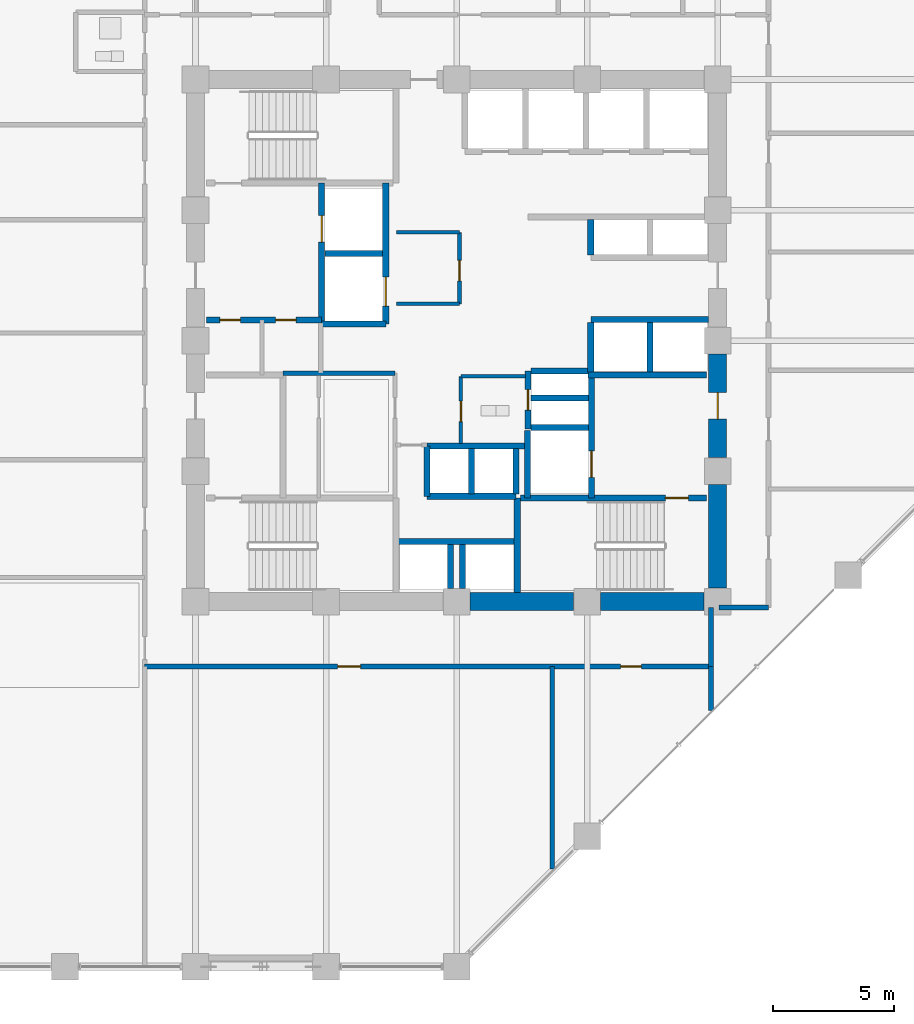
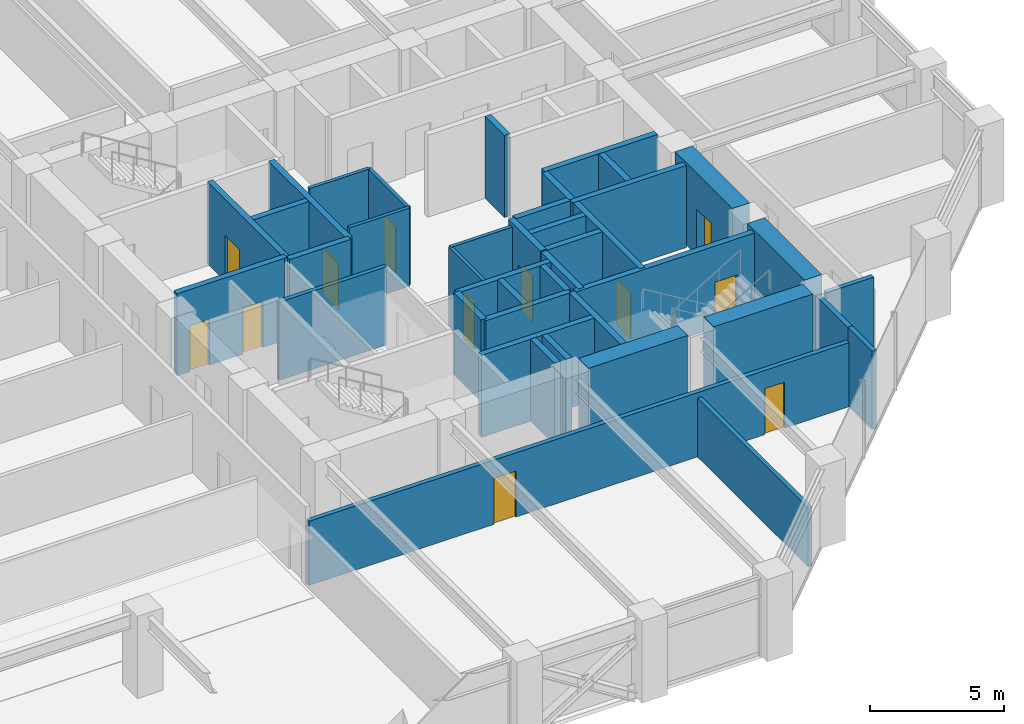
# One storey, part 19 of 24: 41 walls, 12 doors, 12 openings.
"""IFC4 building model written with IfcOpenShell, lengths in metres."""

from ifc_helpers import new_model, si_unit, direction, frame, frame_2d, origin, place, context, subcontext, project, spatial, rectangle, extrude, material, layer, layer_set, type_object, element, fill, save


model = new_model("IFC4")

# Units and contexts
model_context = context("Model", 3, precision=1e-05, world=origin(), true_north=direction((0.0, 1.0)))
body_context = subcontext(model_context, "Body", "Model", "MODEL_VIEW")
ifc_project = project(units=[si_unit("LENGTHUNIT", "METRE"), si_unit("AREAUNIT", "SQUARE_METRE"), si_unit("VOLUMEUNIT", "CUBIC_METRE"), si_unit("PLANEANGLEUNIT", "RADIAN"), si_unit("MASSUNIT", "GRAM", prefix="KILO")], contexts=[model_context])

# Site, building, storey
site_placement = place(None, origin())
site = spatial("IfcSite", under=ifc_project, at=site_placement, CompositionType="ELEMENT")
building_placement = place(site_placement, origin())
building = spatial("IfcBuilding", under=site, at=building_placement, Name="Surkhivell Harbour Commons", CompositionType="ELEMENT")
storey_placement = place(building_placement, frame((0.0, 0.0, 105.75)))
storey = spatial("IfcBuildingStorey", under=building, at=storey_placement, Name="L27", CompositionType="ELEMENT", Elevation=105.75)

# Wall
ifc_material_1 = material(Name="Concrete C60/75", Category="concrete")
ifc_layer_1 = layer(ifc_material_1, 0.75)
ifc_layer_set_1 = layer_set([ifc_layer_1], Name="Concrete C60/75")
wall_type_1 = type_object("IfcWallType", Name="WAL-CORE-750", PredefinedType="SHEAR", material=ifc_layer_set_1)
wall_1_placement = place(storey_placement, frame((10.800048828125, -10.239990234375, 0.0), z_axis=(0.0, 0.0, 1.0), x_axis=(0.0, 1.0, 0.0)))
element("IfcWall", 1, at=wall_1_placement, inside=storey, type_object=wall_type_1, Name="L27 Core Shear Wall East 1", PredefinedType="SHEAR", context=body_context, shape_type="SweptSolid", body=[
    extrude(rectangle(XDim=4.280029296875, YDim=0.75, at=frame_2d((2.14013671875, 0.0))), origin(), (0.0, 0.0, 1.0), 3.75),
])

# Wall, opening, door
wall_2_placement = place(storey_placement, frame((10.800048828125, -4.840087890625, 0.0), z_axis=(0.0, 0.0, 1.0), x_axis=(0.0, 1.0, 0.0)))
wall_2 = element("IfcWall", 2, at=wall_2_placement, inside=storey, type_object=wall_type_1, Name="L27 Core Shear Wall East 2", PredefinedType="SHEAR", context=body_context, shape_type="SweptSolid", body=[
    extrude(rectangle(XDim=4.280029296875, YDim=0.75, at=frame_2d((2.14013671875, 0.0))), origin(), (0.0, 0.0, 1.0), 3.75),
])
opening_1_placement = place(wall_2_placement, frame((1.590087890625, 0.0, 0.0)))
opening_1 = element("IfcOpeningElement", 3, at=opening_1_placement, cuts=wall_2, Name="Opening ID-1", PredefinedType="OPENING", context=body_context, shape_type="SweptSolid", body=[
    extrude(rectangle(XDim=1.10009765625, YDim=2.10009765625, at=frame_2d((0.550048828125, 1.050048828125))), frame((0.0, 0.385009765625, 0.0), z_axis=(0.0, -1.0, 0.0), x_axis=(1.0, 0.0, 0.0)), (0.0, 0.0, 1.0), 0.77001953125),
])
ifc_material_2 = material(Name="Hardwood-veneered fire-rated door leaf", Category="wood")
door_type_1 = type_object("IfcDoorType", Name="DOR-FD120-1100", OperationType="NOTDEFINED", PredefinedType="DOOR", material=ifc_material_2)
door_1_placement = place(opening_1_placement, origin())
door_1 = element("IfcDoor", 4, at=door_1_placement, inside=storey, type_object=door_type_1, Name="L27 Firefighting Lobby 2 Corridor Door", OperationType="SINGLE_SWING_RIGHT", OverallHeight=2.10009765625, OverallWidth=1.10009765625, PredefinedType="DOOR", context=body_context, shape_type="SweptSolid", body=[
    extrude(rectangle(XDim=1.10009765625, YDim=2.10009765625, at=frame_2d((0.550048828125, 1.050048828125))), frame((0.0, 0.02490234375, 0.0), z_axis=(0.0, -1.0, 0.0), x_axis=(1.0, 0.0, 0.0)), (0.0, 0.0, 1.0), 0.050048828125),
])
fill(opening_1, door_1)

# Walls
for number, where, z_axis, x_axis, name in (
    (5, (0.56005859375, -10.800048828125, 0.0), (0.0, 0.0, 1.0), (1.0, 0.0, 0.0), "L27 Core Shear Wall South 3"),
    (6, (5.9599609375, -10.800048828125, 0.0), (0.0, 0.0, 1.0), (1.0, 0.0, 0.0), "L27 Core Shear Wall South 4"),
):
    element("IfcWall", number, at=place(storey_placement, frame(where, z_axis=z_axis, x_axis=x_axis)), inside=storey, type_object=wall_type_1, Name=name, PredefinedType="SHEAR", context=body_context, shape_type="SweptSolid", body=[
        extrude(rectangle(XDim=4.280029296875, YDim=0.75, at=frame_2d((2.14013671875, 0.0))), origin(), (0.0, 0.0, 1.0), 3.75),
    ])
ifc_material_3 = material(Name="Twin-stud acoustic fireboard partition", Category="other")
ifc_layer_2 = layer(ifc_material_3, 0.14990234375)
ifc_layer_set_2 = layer_set([ifc_layer_2], Name="Twin-stud acoustic fireboard partition")
wall_type_2 = type_object("IfcWallType", Name="WAL-INT-150", PredefinedType="PARTITIONING", material=ifc_layer_set_2)
wall_3_placement = place(storey_placement, frame((0.179931640625, -1.47998046875, 0.0), z_axis=(0.0, 0.0, 1.0), x_axis=(1.0, 0.0, 0.0)))
element("IfcWall", 7, at=wall_3_placement, inside=storey, type_object=wall_type_2, Name="L27 Core Accessible WC North Wall", PredefinedType="PARTITIONING", context=body_context, shape_type="SweptSolid", body=[
    extrude(rectangle(XDim=2.670166015625, YDim=0.14990234375, at=frame_2d((1.3349609375, 0.0))), origin(), (0.0, 0.0, 1.0), 3.570068359375),
])

# Wall, opening, door
wall_4_placement = place(storey_placement, frame((0.179931640625, -4.25, 0.0), z_axis=(0.0, 0.0, 1.0), x_axis=(0.0, 1.0, 0.0)))
wall_4 = element("IfcWall", 8, at=wall_4_placement, inside=storey, type_object=wall_type_2, Name="L27 Core Accessible WC West Wall", PredefinedType="PARTITIONING", context=body_context, shape_type="SweptSolid", body=[
    extrude(rectangle(XDim=2.77001953125, YDim=0.14990234375, at=frame_2d((1.385009765625, 0.0))), origin(), (0.0, 0.0, 1.0), 3.570068359375),
])
opening_2_placement = place(wall_4_placement, frame((0.89990234375, 0.0, 0.0)))
opening_2 = element("IfcOpeningElement", 9, at=opening_2_placement, cuts=wall_4, Name="Opening ID-6", PredefinedType="OPENING", context=body_context, shape_type="SweptSolid", body=[
    extrude(rectangle(XDim=0.85009765625, YDim=2.10009765625, at=frame_2d((0.425048828125, 1.050048828125))), frame((0.0, 0.0849609375, 0.0), z_axis=(0.0, -1.0, 0.0), x_axis=(1.0, 0.0, 0.0)), (0.0, 0.0, 1.0), 0.169921875),
])
door_type_2 = type_object("IfcDoorType", Name="DOR-FD30-850", OperationType="NOTDEFINED", PredefinedType="DOOR", material=ifc_material_2)
door_2_placement = place(opening_2_placement, origin())
door_2 = element("IfcDoor", 10, at=door_2_placement, inside=storey, type_object=door_type_2, Name="L27 Floor Accessible WC Door", OperationType="SINGLE_SWING_LEFT", OverallHeight=2.10009765625, OverallWidth=0.85009765625, PredefinedType="DOOR", context=body_context, shape_type="SweptSolid", body=[
    extrude(rectangle(XDim=0.85009765625, YDim=2.10009765625, at=frame_2d((0.425048828125, 1.050048828125))), frame((0.0, 0.02490234375, 0.0), z_axis=(0.0, -1.0, 0.0), x_axis=(1.0, 0.0, 0.0)), (0.0, 0.0, 1.0), 0.050048828125),
])
fill(opening_2, door_2)

wall_5_placement = place(storey_placement, frame((0.1201171875, 1.52001953125, 0.0), z_axis=(0.0, 0.0, 1.0), x_axis=(0.0, 1.0, 0.0)))
wall_5 = element("IfcWall", 11, at=wall_5_placement, inside=storey, type_object=wall_type_2, Name="L27 Central Reading East Wall", PredefinedType="PARTITIONING", context=body_context, shape_type="SweptSolid", body=[
    extrude(rectangle(XDim=2.9599609375, YDim=0.14990234375, at=frame_2d((1.47998046875, 0.0))), origin(), (0.0, 0.0, 1.0), 3.570068359375),
])
opening_3_placement = place(wall_5_placement, frame((0.949951171875, 0.0, 0.0)))
opening_3 = element("IfcOpeningElement", 12, at=opening_3_placement, cuts=wall_5, Name="Opening ID-6", PredefinedType="OPENING", context=body_context, shape_type="SweptSolid", body=[
    extrude(rectangle(XDim=0.85009765625, YDim=2.10009765625, at=frame_2d((0.425048828125, 1.050048828125))), frame((0.0, 0.0849609375, 0.0), z_axis=(0.0, -1.0, 0.0), x_axis=(1.0, 0.0, 0.0)), (0.0, 0.0, 1.0), 0.169921875),
])
door_3_placement = place(opening_3_placement, origin())
door_3 = element("IfcDoor", 13, at=door_3_placement, inside=storey, type_object=door_type_2, Name="L27 Central Core Reading Door", OperationType="SINGLE_SWING_RIGHT", OverallHeight=2.10009765625, OverallWidth=0.85009765625, PredefinedType="DOOR", context=body_context, shape_type="SweptSolid", body=[
    extrude(rectangle(XDim=0.85009765625, YDim=2.10009765625, at=frame_2d((0.425048828125, 1.050048828125))), frame((0.0, 0.02490234375, 0.0), z_axis=(0.0, -1.0, 0.0), x_axis=(1.0, 0.0, 0.0)), (0.0, 0.0, 1.0), 0.050048828125),
])
fill(opening_3, door_3)

# Walls
for number, where, z_axis, x_axis, name in (
    (14, (-2.47998046875, 4.47998046875, 0.0), (0.0, 0.0, 1.0), (1.0, 0.0, 0.0), "L27 Central Reading North Wall"),
    (15, (-2.47998046875, 1.52001953125, 0.0), (0.0, 0.0, 1.0), (1.0, 0.0, 0.0), "L27 Central Reading South Wall"),
):
    element("IfcWall", number, at=place(storey_placement, frame(where, z_axis=z_axis, x_axis=x_axis)), inside=storey, type_object=wall_type_2, Name=name, PredefinedType="PARTITIONING", context=body_context, shape_type="SweptSolid", body=[
        extrude(rectangle(XDim=2.60009765625, YDim=0.14990234375, at=frame_2d((1.300048828125, 0.0))), origin(), (0.0, 0.0, 1.0), 3.570068359375),
    ])
ifc_material_4 = material(Name="High-density acoustic blockwork fire partition", Category="masonry")
ifc_layer_3 = layer(ifc_material_4, 0.175048828125)
ifc_layer_set_3 = layer_set([ifc_layer_3], Name="High-density acoustic blockwork fire partition")
wall_type_3 = type_object("IfcWallType", Name="WAL-INT-175", PredefinedType="PARTITIONING", material=ifc_layer_set_3)
wall_6_placement = place(storey_placement, frame((-7.179931640625, -1.35009765625, 0.0), z_axis=(0.0, 0.0, 1.0), x_axis=(1.0, 0.0, 0.0)))
element("IfcWall", 16, at=wall_6_placement, inside=storey, type_object=wall_type_3, Name="L27 Core Service Bay North Wall", PredefinedType="PARTITIONING", context=body_context, shape_type="SweptSolid", body=[
    extrude(rectangle(XDim=4.6298828125, YDim=0.175048828125, at=frame_2d((2.31494140625, 0.0))), origin(), (0.0, 0.0, 1.0), 3.570068359375),
])
wall_7_placement = place(storey_placement, frame((3.9599609375, -21.855224609375, 0.0), z_axis=(0.0, 0.0, 1.0), x_axis=(0.0, 1.0, 0.0)))
element("IfcWall", 17, at=wall_7_placement, inside=storey, type_object=wall_type_3, Name="L27 South Partition P1", PredefinedType="PARTITIONING", context=body_context, shape_type="SweptSolid", body=[
    extrude(rectangle(XDim=8.375244140625, YDim=0.175048828125, at=frame_2d((4.1875, 0.0))), origin(), (0.0, 0.0, 1.0), 2.698974609375),
])
ifc_material_5 = material(Name="Autoclaved aerated concrete blockwork and fire plaster", Category="masonry")
ifc_layer_4 = layer(ifc_material_5, 0.199951171875)
ifc_layer_set_4 = layer_set([ifc_layer_4], Name="Autoclaved aerated concrete blockwork and fire plaster")
wall_type_4 = type_object("IfcWallType", Name="WAL-INT-200", PredefinedType="PARTITIONING", material=ifc_layer_set_4)
wall_8_placement = place(storey_placement, frame((10.52001953125, -15.295166015625, 0.0), z_axis=(0.0, 0.0, 1.0), x_axis=(0.0, 1.0, 0.0)))
element("IfcWall", 18, at=wall_8_placement, inside=storey, type_object=wall_type_4, Name="L27 South-East Wing Corner Divider", PredefinedType="PARTITIONING", context=body_context, shape_type="SweptSolid", body=[
    extrude(rectangle(XDim=1.815185546875, YDim=0.199951171875, at=frame_2d((0.90771484375, 0.0))), origin(), (0.0, 0.0, 1.0), 3.570068359375),
])
wall_9_placement = place(storey_placement, frame((10.85009765625, -11.0400390625, 0.0), z_axis=(0.0, 0.0, 1.0), x_axis=(1.0, 0.0, 0.0)))
element("IfcWall", 19, at=wall_9_placement, inside=storey, type_object=wall_type_4, Name="L27 Corridor East South Closure Wall", PredefinedType="PARTITIONING", context=body_context, shape_type="SweptSolid", body=[
    extrude(rectangle(XDim=2.0498046875, YDim=0.199951171875, at=frame_2d((1.02490234375, 0.0))), origin(), (0.0, 0.0, 1.0), 3.570068359375),
])

# Wall, openings, doors
wall_10_placement = place(storey_placement, frame((-12.89990234375, -13.47998046875, 0.0), z_axis=(0.0, 0.0, 1.0), x_axis=(1.0, 0.0, 0.0)))
wall_10 = element("IfcWall", 20, at=wall_10_placement, inside=storey, type_object=wall_type_4, Name="L27 Corridor South Wall", PredefinedType="PARTITIONING", context=body_context, shape_type="SweptSolid", body=[
    extrude(rectangle(XDim=23.419921875, YDim=0.199951171875, at=frame_2d((11.7099609375, 0.0))), origin(), (0.0, 0.0, 1.0), 2.93310546875),
])
opening_4_placement = place(wall_10_placement, frame((7.97998046875, 0.0, 0.0)))
opening_4 = element("IfcOpeningElement", 21, at=opening_4_placement, cuts=wall_10, Name="Opening ID-4", PredefinedType="OPENING", context=body_context, shape_type="SweptSolid", body=[
    extrude(rectangle(XDim=0.949951171875, YDim=2.10009765625, at=frame_2d((0.47509765625, 1.050048828125))), frame((0.0, 0.10986328125, 0.0), z_axis=(0.0, -1.0, 0.0), x_axis=(1.0, 0.0, 0.0)), (0.0, 0.0, 1.0), 0.219970703125),
])
opening_5_placement = place(wall_10_placement, frame((19.68994140625, 0.0, 0.0)))
opening_5 = element("IfcOpeningElement", 22, at=opening_5_placement, cuts=wall_10, Name="Opening ID-6", PredefinedType="OPENING", context=body_context, shape_type="SweptSolid", body=[
    extrude(rectangle(XDim=0.85009765625, YDim=2.10009765625, at=frame_2d((0.425048828125, 1.050048828125))), frame((0.0, 0.10986328125, 0.0), z_axis=(0.0, -1.0, 0.0), x_axis=(1.0, 0.0, 0.0)), (0.0, 0.0, 1.0), 0.219970703125),
])
door_4_placement = place(opening_5_placement, origin())
door_4 = element("IfcDoor", 23, at=door_4_placement, inside=storey, type_object=door_type_2, Name="L27 Resident Advisory Reception Desk South Door", OperationType="SINGLE_SWING_LEFT", OverallHeight=2.10009765625, OverallWidth=0.85009765625, PredefinedType="DOOR", context=body_context, shape_type="SweptSolid", body=[
    extrude(rectangle(XDim=0.85009765625, YDim=2.10009765625, at=frame_2d((0.425048828125, 1.050048828125))), frame((0.0, 0.02490234375, 0.0), z_axis=(0.0, -1.0, 0.0), x_axis=(1.0, 0.0, 0.0)), (0.0, 0.0, 1.0), 0.050048828125),
])
fill(opening_5, door_4)
door_type_3 = type_object("IfcDoorType", Name="DOR-FD60-950", OperationType="NOTDEFINED", PredefinedType="DOOR", material=ifc_material_2)
door_5_placement = place(opening_4_placement, origin())
door_5 = element("IfcDoor", 24, at=door_5_placement, inside=storey, type_object=door_type_3, Name="L27 Zone Concierge Reception Foyer South Door", OperationType="SINGLE_SWING_RIGHT", OverallHeight=2.10009765625, OverallWidth=0.949951171875, PredefinedType="DOOR", context=body_context, shape_type="SweptSolid", body=[
    extrude(rectangle(XDim=0.949951171875, YDim=2.10009765625, at=frame_2d((0.47509765625, 1.050048828125))), frame((0.0, 0.02490234375, 0.0), z_axis=(0.0, -1.0, 0.0), x_axis=(1.0, 0.0, 0.0)), (0.0, 0.0, 1.0), 0.050048828125),
])
fill(opening_4, door_5)

# Wall
wall_11_placement = place(storey_placement, frame((10.52001953125, -13.47998046875, 0.0), z_axis=(0.0, 0.0, 1.0), x_axis=(0.0, 1.0, 0.0)))
element("IfcWall", 25, at=wall_11_placement, inside=storey, type_object=wall_type_4, Name="L27 Corridor SE Closure Wall", PredefinedType="PARTITIONING", context=body_context, shape_type="SweptSolid", body=[
    extrude(rectangle(XDim=2.43994140625, YDim=0.199951171875, at=frame_2d((1.219970703125, 0.0))), origin(), (0.0, 0.0, 1.0), 3.570068359375),
])

# Wall, opening, door
ifc_material_6 = material(Name="Concrete C50/60", Category="concrete")
ifc_layer_5 = layer(ifc_material_6, 0.25)
ifc_layer_set_5 = layer_set([ifc_layer_5], Name="Concrete C50/60")
wall_type_5 = type_object("IfcWallType", Name="WAL-SHAFT-250", PredefinedType="SHEAR", material=ifc_layer_set_5)
wall_12_placement = place(storey_placement, frame((-5.580078125, 0.719970703125, 0.0), z_axis=(0.0, 0.0, 1.0), x_axis=(0.0, 1.0, 0.0)))
wall_12 = element("IfcWall", 26, at=wall_12_placement, inside=storey, type_object=wall_type_5, Name="L27 Firefighting Lobby 1 East Shaft Wall", PredefinedType="SHEAR", context=body_context, shape_type="SweptSolid", body=[
    extrude(rectangle(XDim=5.7900390625, YDim=0.25, at=frame_2d((2.89501953125, 0.0))), origin(), (0.0, 0.0, 1.0), 3.75),
])
opening_6_placement = place(wall_12_placement, frame((3.35009765625, 0.0, 0.0)))
opening_6 = element("IfcOpeningElement", 27, at=opening_6_placement, cuts=wall_12, Name="Opening LD-1", PredefinedType="OPENING", context=body_context, shape_type="SweptSolid", body=[
    extrude(rectangle(XDim=1.10009765625, YDim=2.10009765625, at=frame_2d((0.550048828125, 1.050048828125))), frame((0.0, 0.135009765625, 0.0), z_axis=(0.0, -1.0, 0.0), x_axis=(1.0, 0.0, 0.0)), (0.0, 0.0, 1.0), 0.27001953125),
])
ifc_material_7 = material(Name="Brushed stainless steel S355", Category="steel")
door_type_4 = type_object("IfcDoorType", Name="DOR-LD-1100", OperationType="SLIDING_TO_LEFT", PredefinedType="DOOR", material=ifc_material_7)
door_6_placement = place(opening_6_placement, origin())
door_6 = element("IfcDoor", 28, at=door_6_placement, inside=storey, type_object=door_type_4, Name="L27 Lift Landing Door LD-FFL1", OperationType="SLIDING_TO_LEFT", OverallHeight=2.10009765625, OverallWidth=1.10009765625, PredefinedType="DOOR", context=body_context, shape_type="SweptSolid", body=[
    extrude(rectangle(XDim=1.10009765625, YDim=2.10009765625, at=frame_2d((0.550048828125, 1.050048828125))), frame((0.0, 0.02490234375, 0.0), z_axis=(0.0, -1.0, 0.0), x_axis=(1.0, 0.0, 0.0)), (0.0, 0.0, 1.0), 0.050048828125),
])
fill(opening_6, door_6)

# Wall, openings, doors
wall_13_placement = place(storey_placement, frame((-10.340087890625, 0.85009765625, 0.0), z_axis=(0.0, 0.0, 1.0), x_axis=(1.0, 0.0, 0.0)))
wall_13 = element("IfcWall", 29, at=wall_13_placement, inside=storey, type_object=wall_type_5, Name="L27 Firefighting Lobby 1 South Wall", PredefinedType="SHEAR", context=body_context, shape_type="SweptSolid", body=[
    extrude(rectangle(XDim=4.760009765625, YDim=0.25, at=frame_2d((2.3798828125, 0.0))), origin(), (0.0, 0.0, 1.0), 3.75),
])
opening_7_placement = place(wall_13_placement, frame((0.550048828125, 0.0, 0.0)))
opening_7 = element("IfcOpeningElement", 30, at=opening_7_placement, cuts=wall_13, Name="Opening ID-6", PredefinedType="OPENING", context=body_context, shape_type="SweptSolid", body=[
    extrude(rectangle(XDim=0.85009765625, YDim=2.10009765625, at=frame_2d((0.425048828125, 1.050048828125))), frame((0.0, 0.135009765625, 0.0), z_axis=(0.0, -1.0, 0.0), x_axis=(1.0, 0.0, 0.0)), (0.0, 0.0, 1.0), 0.27001953125),
])
opening_8_placement = place(wall_13_placement, frame((2.85009765625, 0.0, 0.0)))
opening_8 = element("IfcOpeningElement", 31, at=opening_8_placement, cuts=wall_13, Name="Opening ID-6", PredefinedType="OPENING", context=body_context, shape_type="SweptSolid", body=[
    extrude(rectangle(XDim=0.85009765625, YDim=2.10009765625, at=frame_2d((0.425048828125, 1.050048828125))), frame((0.0, 0.135009765625, 0.0), z_axis=(0.0, -1.0, 0.0), x_axis=(1.0, 0.0, 0.0)), (0.0, 0.0, 1.0), 0.27001953125),
])
door_7_placement = place(opening_7_placement, origin())
door_7 = element("IfcDoor", 32, at=door_7_placement, inside=storey, type_object=door_type_2, Name="L27 West Seminar 1 Door", OperationType="SINGLE_SWING_LEFT", OverallHeight=2.10009765625, OverallWidth=0.85009765625, PredefinedType="DOOR", context=body_context, shape_type="SweptSolid", body=[
    extrude(rectangle(XDim=0.85009765625, YDim=2.10009765625, at=frame_2d((0.425048828125, 1.050048828125))), frame((0.0, 0.02490234375, 0.0), z_axis=(0.0, -1.0, 0.0), x_axis=(1.0, 0.0, 0.0)), (0.0, 0.0, 1.0), 0.050048828125),
])
fill(opening_7, door_7)
door_8_placement = place(opening_8_placement, origin())
door_8 = element("IfcDoor", 33, at=door_8_placement, inside=storey, type_object=door_type_2, Name="L27 West Seminar 2 Door", OperationType="SINGLE_SWING_RIGHT", OverallHeight=2.10009765625, OverallWidth=0.85009765625, PredefinedType="DOOR", context=body_context, shape_type="SweptSolid", body=[
    extrude(rectangle(XDim=0.85009765625, YDim=2.10009765625, at=frame_2d((0.425048828125, 1.050048828125))), frame((0.0, 0.02490234375, 0.0), z_axis=(0.0, -1.0, 0.0), x_axis=(1.0, 0.0, 0.0)), (0.0, 0.0, 1.0), 0.050048828125),
])
fill(opening_8, door_8)

# Walls
wall_14_placement = place(storey_placement, frame((2.929931640625, -6.510009765625, 0.0), z_axis=(0.0, 0.0, 1.0), x_axis=(0.0, 1.0, 0.0)))
element("IfcWall", 34, at=wall_14_placement, inside=storey, type_object=wall_type_5, Name="L27 FFL2 West Shaft Wall", PredefinedType="SHEAR", context=body_context, shape_type="SweptSolid", body=[
    extrude(rectangle(XDim=2.7900390625, YDim=0.25, at=frame_2d((1.39501953125, 0.0))), origin(), (0.0, 0.0, 1.0), 3.75),
])
wall_15_placement = place(storey_placement, frame((5.43994140625, -1.419921875, 0.0), z_axis=(0.0, 0.0, 1.0), x_axis=(1.0, 0.0, 0.0)))
element("IfcWall", 35, at=wall_15_placement, inside=storey, type_object=wall_type_5, Name="L27 Firefighting Lobby 2 North Wall", PredefinedType="SHEAR", context=body_context, shape_type="SweptSolid", body=[
    extrude(rectangle(XDim=4.900146484375, YDim=0.25, at=frame_2d((2.4501953125, 0.0))), origin(), (0.0, 0.0, 1.0), 3.75),
])
wall_16_placement = place(storey_placement, frame((3.080078125, -3.60009765625, 0.0), z_axis=(0.0, 0.0, 1.0), x_axis=(1.0, 0.0, 0.0)))
element("IfcWall", 36, at=wall_16_placement, inside=storey, type_object=wall_type_5, Name="L27 FFL2 North Shaft Wall", PredefinedType="SHEAR", context=body_context, shape_type="SweptSolid", body=[
    extrude(rectangle(XDim=2.369873046875, YDim=0.25, at=frame_2d((1.18505859375, 0.0))), origin(), (0.0, 0.0, 1.0), 3.75),
])

# Wall, opening, door
wall_17_placement = place(storey_placement, frame((5.580078125, -6.510009765625, 0.0), z_axis=(0.0, 0.0, 1.0), x_axis=(0.0, 1.0, 0.0)))
wall_17 = element("IfcWall", 37, at=wall_17_placement, inside=storey, type_object=wall_type_5, Name="L27 Firefighting Lobby 2 West Shaft Wall", PredefinedType="SHEAR", context=body_context, shape_type="SweptSolid", body=[
    extrude(rectangle(XDim=5.090087890625, YDim=0.25, at=frame_2d((2.544921875, 0.0))), origin(), (0.0, 0.0, 1.0), 3.75),
])
opening_9_placement = place(wall_17_placement, frame((0.85009765625, 0.0, 0.0)))
opening_9 = element("IfcOpeningElement", 38, at=opening_9_placement, cuts=wall_17, Name="Opening LD-1", PredefinedType="OPENING", context=body_context, shape_type="SweptSolid", body=[
    extrude(rectangle(XDim=1.10009765625, YDim=2.10009765625, at=frame_2d((0.550048828125, 1.050048828125))), frame((0.0, 0.135009765625, 0.0), z_axis=(0.0, -1.0, 0.0), x_axis=(1.0, 0.0, 0.0)), (0.0, 0.0, 1.0), 0.27001953125),
])
door_9_placement = place(opening_9_placement, origin())
door_9 = element("IfcDoor", 39, at=door_9_placement, inside=storey, type_object=door_type_4, Name="L27 Lift Landing Door LD-FFL2", OperationType="SLIDING_TO_RIGHT", OverallHeight=2.10009765625, OverallWidth=1.10009765625, PredefinedType="DOOR", context=body_context, shape_type="SweptSolid", body=[
    extrude(rectangle(XDim=1.10009765625, YDim=2.10009765625, at=frame_2d((0.550048828125, 1.050048828125))), frame((0.0, 0.02490234375, 0.0), z_axis=(0.0, -1.0, 0.0), x_axis=(1.0, 0.0, 0.0)), (0.0, 0.0, 1.0), 0.050048828125),
])
fill(opening_9, door_9)

# Walls
for number, where, z_axis, x_axis, name in (
    (40, (0.6201171875, -6.340087890625, 0.0), (0.0, 0.0, 1.0), (0.0, 1.0, 0.0), "L27 High-Rise Side Wall N"),
    (41, (2.449951171875, -6.340087890625, 0.0), (0.0, 0.0, 1.0), (0.0, 1.0, 0.0), "L27 High-Rise Side Wall N"),
):
    element("IfcWall", number, at=place(storey_placement, frame(where, z_axis=z_axis, x_axis=x_axis)), inside=storey, type_object=wall_type_5, Name=name, PredefinedType="SHEAR", context=body_context, shape_type="SweptSolid", body=[
        extrude(rectangle(XDim=1.880126953125, YDim=0.25, at=frame_2d((0.93994140625, 0.0))), origin(), (0.0, 0.0, 1.0), 3.75),
    ])
for number, where, z_axis, x_axis, name in (
    (42, (-0.25, -10.25, 0.0), (0.0, 0.0, 1.0), (0.0, 1.0, 0.0), "L27 High-Rise Side Wall S"),
    (43, (0.25, -10.25, 0.0), (0.0, 0.0, 1.0), (0.0, 1.0, 0.0), "L27 High-Rise Side Wall S"),
):
    element("IfcWall", number, at=place(storey_placement, frame(where, z_axis=z_axis, x_axis=x_axis)), inside=storey, type_object=wall_type_5, Name=name, PredefinedType="SHEAR", context=body_context, shape_type="SweptSolid", body=[
        extrude(rectangle(XDim=1.81005859375, YDim=0.25, at=frame_2d((0.905029296875, 0.0))), origin(), (0.0, 0.0, 1.0), 3.75),
    ])
wall_18_placement = place(storey_placement, frame((-1.219970703125, -6.43994140625, 0.0), z_axis=(0.0, 0.0, 1.0), x_axis=(0.0, 1.0, 0.0)))
element("IfcWall", 44, at=wall_18_placement, inside=storey, type_object=wall_type_5, Name="L27 High-Rise Passage East Shaft Wall", PredefinedType="SHEAR", context=body_context, shape_type="SweptSolid", body=[
    extrude(rectangle(XDim=2.079833984375, YDim=0.25, at=frame_2d((1.0400390625, 0.0))), origin(), (0.0, 0.0, 1.0), 3.75),
])
wall_19_placement = place(storey_placement, frame((-1.219970703125, -6.43994140625, 0.0), z_axis=(0.0, 0.0, 1.0), x_axis=(1.0, 0.0, 0.0)))
element("IfcWall", 45, at=wall_19_placement, inside=storey, type_object=wall_type_5, Name="L27 High-Rise North Front Shaft Wall", PredefinedType="SHEAR", context=body_context, shape_type="SweptSolid", body=[
    extrude(rectangle(XDim=3.669921875, YDim=0.25, at=frame_2d((1.8349609375, 0.0))), origin(), (0.0, 0.0, 1.0), 3.75),
])
wall_20_placement = place(storey_placement, frame((-2.47998046875, -8.320068359375, 0.0), z_axis=(0.0, 0.0, 1.0), x_axis=(1.0, 0.0, 0.0)))
element("IfcWall", 46, at=wall_20_placement, inside=storey, type_object=wall_type_5, Name="L27 High-Rise South Front Shaft Wall", PredefinedType="SHEAR", context=body_context, shape_type="SweptSolid", body=[
    extrude(rectangle(XDim=4.929931640625, YDim=0.25, at=frame_2d((2.46484375, 0.0))), origin(), (0.0, 0.0, 1.0), 3.75),
])
wall_21_placement = place(storey_placement, frame((-1.219970703125, -4.360107421875, 0.0), z_axis=(0.0, 0.0, 1.0), x_axis=(1.0, 0.0, 0.0)))
element("IfcWall", 47, at=wall_21_placement, inside=storey, type_object=wall_type_5, Name="L27 High-Rise North Back Shaft Wall", PredefinedType="SHEAR", context=body_context, shape_type="SweptSolid", body=[
    extrude(rectangle(XDim=4.030029296875, YDim=0.25, at=frame_2d((2.01513671875, 0.0))), origin(), (0.0, 0.0, 1.0), 3.75),
])
wall_22_placement = place(storey_placement, frame((5.550048828125, 3.550048828125, 0.0), z_axis=(0.0, 0.0, 1.0), x_axis=(0.0, 1.0, 0.0)))
element("IfcWall", 48, at=wall_22_placement, inside=storey, type_object=wall_type_5, Name="L27 Mid-Rise Shaft Side Wall N", PredefinedType="SHEAR", context=body_context, shape_type="SweptSolid", body=[
    extrude(rectangle(XDim=1.449951171875, YDim=0.25, at=frame_2d((0.72509765625, 0.0))), origin(), (0.0, 0.0, 1.0), 3.75),
])
for number, where, z_axis, x_axis, name in (
    (49, (5.550048828125, -1.300048828125, 0.0), (0.0, 0.0, 1.0), (0.0, 1.0, 0.0), "L27 Mid-Rise Shaft Side Wall S"),
    (50, (8.0, -1.300048828125, 0.0), (0.0, 0.0, 1.0), (0.0, 1.0, 0.0), "L27 Mid-Rise Shaft Side Wall S"),
):
    element("IfcWall", number, at=place(storey_placement, frame(where, z_axis=z_axis, x_axis=x_axis)), inside=storey, type_object=wall_type_5, Name=name, PredefinedType="SHEAR", context=body_context, shape_type="SweptSolid", body=[
        extrude(rectangle(XDim=2.0400390625, YDim=0.25, at=frame_2d((1.02001953125, 0.0))), origin(), (0.0, 0.0, 1.0), 3.75),
    ])
wall_23_placement = place(storey_placement, frame((5.550048828125, 0.8701171875, 0.0), z_axis=(0.0, 0.0, 1.0), x_axis=(1.0, 0.0, 0.0)))
element("IfcWall", 51, at=wall_23_placement, inside=storey, type_object=wall_type_5, Name="L27 Mid-Rise South Front Shaft Wall", PredefinedType="SHEAR", context=body_context, shape_type="SweptSolid", body=[
    extrude(rectangle(XDim=4.875, YDim=0.25, at=frame_2d((2.4375, 0.0))), origin(), (0.0, 0.0, 1.0), 3.75),
])
for number, where, z_axis, x_axis, name in (
    (52, (3.080078125, -2.3798828125, 0.0), (0.0, 0.0, 1.0), (1.0, 0.0, 0.0), "L27 Riser Divider Wall"),
    (53, (3.080078125, -1.25, 0.0), (0.0, 0.0, 1.0), (1.0, 0.0, 0.0), "L27 Riser North Wall"),
):
    element("IfcWall", number, at=place(storey_placement, frame(where, z_axis=z_axis, x_axis=x_axis)), inside=storey, type_object=wall_type_5, Name=name, PredefinedType="SHEAR", context=body_context, shape_type="SweptSolid", body=[
        extrude(rectangle(XDim=2.369873046875, YDim=0.25, at=frame_2d((1.18505859375, 0.0))), origin(), (0.0, 0.0, 1.0), 3.75),
    ])

# Wall, opening, door
wall_24_placement = place(storey_placement, frame((2.949951171875, -3.64990234375, 0.0), z_axis=(0.0, 0.0, 1.0), x_axis=(0.0, 1.0, 0.0)))
wall_24 = element("IfcWall", 54, at=wall_24_placement, inside=storey, type_object=wall_type_5, Name="L27 Riser Shaft West Wall", PredefinedType="SHEAR", context=body_context, shape_type="SweptSolid", body=[
    extrude(rectangle(XDim=2.39990234375, YDim=0.25, at=frame_2d((1.199951171875, 0.0))), origin(), (0.0, 0.0, 1.0), 3.75),
])
opening_10_placement = place(wall_24_placement, frame((0.77490234375, 0.0, 0.0)))
opening_10 = element("IfcOpeningElement", 55, at=opening_10_placement, cuts=wall_24, Name="Opening ID-6", PredefinedType="OPENING", context=body_context, shape_type="SweptSolid", body=[
    extrude(rectangle(XDim=0.85009765625, YDim=2.10009765625, at=frame_2d((0.425048828125, 1.050048828125))), frame((0.0, 0.135009765625, 0.0), z_axis=(0.0, -1.0, 0.0), x_axis=(1.0, 0.0, 0.0)), (0.0, 0.0, 1.0), 0.27001953125),
])
door_10_placement = place(opening_10_placement, origin())
door_10 = element("IfcDoor", 56, at=door_10_placement, inside=storey, type_object=door_type_2, Name="L27 Electrical Riser Access Door", OperationType="SINGLE_SWING_LEFT", OverallHeight=2.10009765625, OverallWidth=0.85009765625, PredefinedType="DOOR", context=body_context, shape_type="SweptSolid", body=[
    extrude(rectangle(XDim=0.85009765625, YDim=2.10009765625, at=frame_2d((0.425048828125, 1.050048828125))), frame((0.0, 0.02490234375, 0.0), z_axis=(0.0, -1.0, 0.0), x_axis=(1.0, 0.0, 0.0)), (0.0, 0.0, 1.0), 0.050048828125),
])
fill(opening_10, door_10)

wall_25_placement = place(storey_placement, frame((2.639892578125, -6.510009765625, 0.0), z_axis=(0.0, 0.0, 1.0), x_axis=(1.0, 0.0, 0.0)))
wall_25 = element("IfcWall", 57, at=wall_25_placement, inside=storey, type_object=wall_type_5, Name="L27 Stair ST2 North Shear Wall", PredefinedType="SHEAR", context=body_context, shape_type="SweptSolid", body=[
    extrude(rectangle(XDim=7.7001953125, YDim=0.25, at=frame_2d((3.85009765625, 0.0))), origin(), (0.0, 0.0, 1.0), 3.75),
])
opening_11_placement = place(wall_25_placement, frame((6.0, 0.0, 0.0)))
opening_11 = element("IfcOpeningElement", 58, at=opening_11_placement, cuts=wall_25, Name="Opening ID-4", PredefinedType="OPENING", context=body_context, shape_type="SweptSolid", body=[
    extrude(rectangle(XDim=0.949951171875, YDim=2.10009765625, at=frame_2d((0.47509765625, 1.050048828125))), frame((0.0, 0.135009765625, 0.0), z_axis=(0.0, -1.0, 0.0), x_axis=(1.0, 0.0, 0.0)), (0.0, 0.0, 1.0), 0.27001953125),
])
door_11_placement = place(opening_11_placement, origin())
door_11 = element("IfcDoor", 59, at=door_11_placement, inside=storey, type_object=door_type_3, Name="L27 Stair ST2 Exit Door", OperationType="SINGLE_SWING_RIGHT", OverallHeight=2.10009765625, OverallWidth=0.949951171875, PredefinedType="DOOR", context=body_context, shape_type="SweptSolid", body=[
    extrude(rectangle(XDim=0.949951171875, YDim=2.10009765625, at=frame_2d((0.47509765625, 1.050048828125))), frame((0.0, 0.02490234375, 0.0), z_axis=(0.0, -1.0, 0.0), x_axis=(1.0, 0.0, 0.0)), (0.0, 0.0, 1.0), 0.050048828125),
])
fill(opening_11, door_11)

# Wall
wall_26_placement = place(storey_placement, frame((2.510009765625, -10.425048828125, 0.0), z_axis=(0.0, 0.0, 1.0), x_axis=(0.0, 1.0, 0.0)))
element("IfcWall", 60, at=wall_26_placement, inside=storey, type_object=wall_type_5, Name="L27 Stair ST2 West Shear Wall", PredefinedType="SHEAR", context=body_context, shape_type="SweptSolid", body=[
    extrude(rectangle(XDim=3.9150390625, YDim=0.25, at=frame_2d((1.95751953125, 0.0))), origin(), (0.0, 0.0, 1.0), 3.75),
])

# Wall, opening, door
wall_27_placement = place(storey_placement, frame((-2.929931640625, 0.679931640625, 0.0), z_axis=(0.0, 0.0, 1.0), x_axis=(0.0, 1.0, 0.0)))
wall_27 = element("IfcWall", 61, at=wall_27_placement, inside=storey, type_object=wall_type_5, Name="L27 Service and Fire Lift East Shaft Wall", PredefinedType="SHEAR", context=body_context, shape_type="SweptSolid", body=[
    extrude(rectangle(XDim=5.830078125, YDim=0.25, at=frame_2d((2.9150390625, 0.0))), origin(), (0.0, 0.0, 1.0), 3.75),
])
opening_12_placement = place(wall_27_placement, frame((0.75, 0.0, 0.0)))
opening_12 = element("IfcOpeningElement", 62, at=opening_12_placement, cuts=wall_27, Name="Opening LD-2", PredefinedType="OPENING", context=body_context, shape_type="SweptSolid", body=[
    extrude(rectangle(XDim=1.199951171875, YDim=2.10009765625, at=frame_2d((0.60009765625, 1.050048828125))), frame((0.0, 0.135009765625, 0.0), z_axis=(0.0, -1.0, 0.0), x_axis=(1.0, 0.0, 0.0)), (0.0, 0.0, 1.0), 0.27001953125),
])
door_type_5 = type_object("IfcDoorType", Name="DOR-LD-1200", OperationType="SLIDING_TO_LEFT", PredefinedType="DOOR", material=ifc_material_7)
door_12_placement = place(opening_12_placement, origin())
door_12 = element("IfcDoor", 63, at=door_12_placement, inside=storey, type_object=door_type_5, Name="L27 Lift Landing Door LD-SVL1", OperationType="SLIDING_TO_LEFT", OverallHeight=2.10009765625, OverallWidth=1.199951171875, PredefinedType="DOOR", context=body_context, shape_type="SweptSolid", body=[
    extrude(rectangle(XDim=1.199951171875, YDim=2.10009765625, at=frame_2d((0.60009765625, 1.050048828125))), frame((0.0, 0.02490234375, 0.0), z_axis=(0.0, -1.0, 0.0), x_axis=(1.0, 0.0, 0.0)), (0.0, 0.0, 1.0), 0.050048828125),
])
fill(opening_12, door_12)

# Walls
wall_28_placement = place(storey_placement, frame((-5.449951171875, 3.60009765625, 0.0), z_axis=(0.0, 0.0, 1.0), x_axis=(1.0, 0.0, 0.0)))
element("IfcWall", 64, at=wall_28_placement, inside=storey, type_object=wall_type_5, Name="L27 FFL1/SVL1 Shaft Divider", PredefinedType="SHEAR", context=body_context, shape_type="SweptSolid", body=[
    extrude(rectangle(XDim=2.389892578125, YDim=0.25, at=frame_2d((1.19482421875, 0.0))), origin(), (0.0, 0.0, 1.0), 3.75),
])
wall_29_placement = place(storey_placement, frame((-5.580078125, 0.679931640625, 0.0), z_axis=(0.0, 0.0, 1.0), x_axis=(1.0, 0.0, 0.0)))
element("IfcWall", 65, at=wall_29_placement, inside=storey, type_object=wall_type_5, Name="L27 SVL1 South Shaft Wall", PredefinedType="SHEAR", context=body_context, shape_type="SweptSolid", body=[
    extrude(rectangle(XDim=2.650146484375, YDim=0.25, at=frame_2d((1.3251953125, 0.0))), origin(), (0.0, 0.0, 1.0), 3.75),
])

save(model, "model.ifc")
